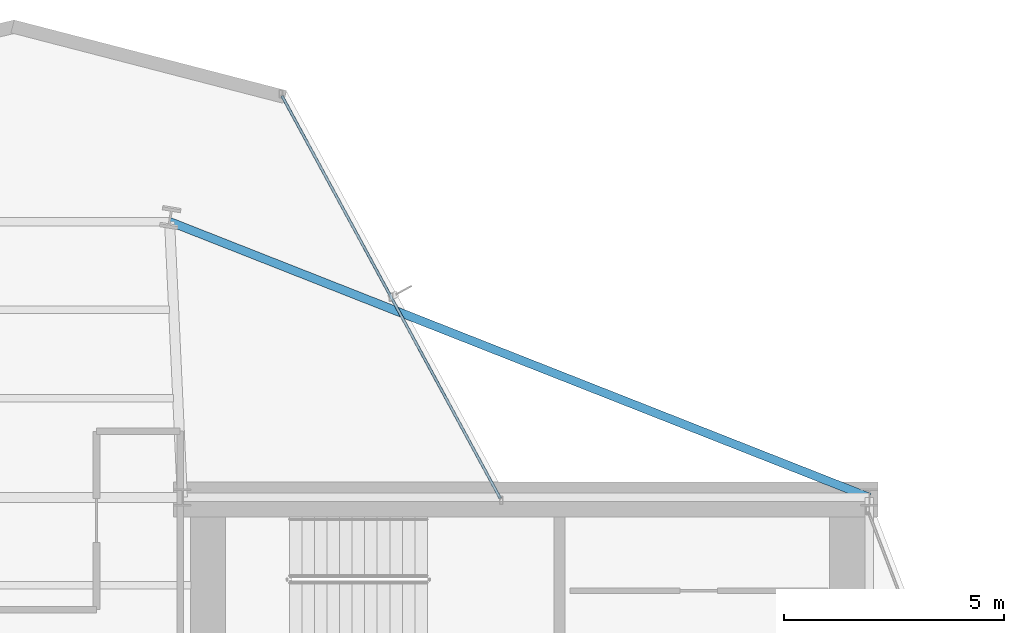
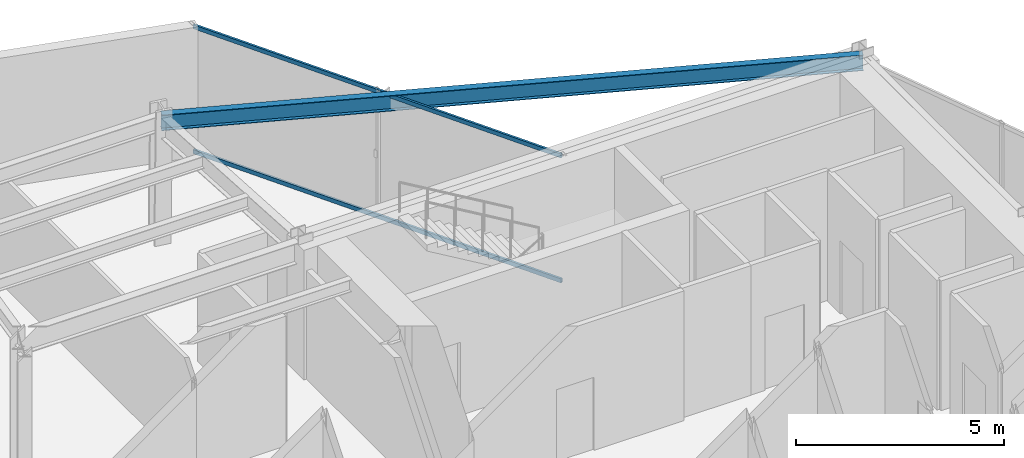
# One storey, part 17 of 26: 2 members, 1 beam, 1 element without a shape of its own.
"""IFC4 building model written with IfcOpenShell, lengths in metres."""

from ifc_helpers import new_model, si_unit, direction, frame, origin, origin_2d, place, context, subcontext, project, spatial, hollow_rectangle, i_section, extrude, material, layer, layer_set, material_profile, profile_set, type_object, element, aggregate, save


model = new_model("IFC4")

# Units and contexts
model_context = context("Model", 3, precision=1e-05, world=origin(), true_north=direction((0.0, 1.0)))
body_context = subcontext(model_context, "Body", "Model", "MODEL_VIEW")
ifc_project = project(units=[si_unit("LENGTHUNIT", "METRE"), si_unit("AREAUNIT", "SQUARE_METRE"), si_unit("VOLUMEUNIT", "CUBIC_METRE"), si_unit("PLANEANGLEUNIT", "RADIAN"), si_unit("MASSUNIT", "GRAM", prefix="KILO")], contexts=[model_context])

# Site, building, storey
site_placement = place(None, origin())
site = spatial("IfcSite", under=ifc_project, at=site_placement, CompositionType="ELEMENT")
building_placement = place(site_placement, origin())
building = spatial("IfcBuilding", under=site, at=building_placement, Name="Veymaron Broadcast Tower", CompositionType="ELEMENT")
storey_placement = place(building_placement, frame((0.0, 0.0, 157.35009765625)))
storey = spatial("IfcBuildingStorey", under=building, at=storey_placement, Name="L36", CompositionType="ELEMENT", Elevation=157.35009765625)

# Beam
ifc_material_1 = material(Name="Structural steel ASTM A992 Gr 50", Category="steel")
ifc_material_profile_1 = material_profile(ifc_material_1, i_section(OverallWidth=0.19091796875, OverallDepth=0.4599609375, WebThickness=0.010009765625, FlangeThickness=0.01611328125, at=origin_2d()), Name="W460X82")
ifc_profile_set_1 = profile_set([ifc_material_profile_1], Name="Structural steel ASTM A992 Gr 50")
beam_type = type_object("IfcBeamType", Name="BM-SP1", PredefinedType="SPANDREL", material=ifc_profile_set_1)
beam_placement = place(storey_placement, frame((54.60009765625, 32.0, 3.579833984375), z_axis=(-0.930403222441, 0.366537642913, 0.0), x_axis=(-0.366537642913, -0.930403222441, 0.0)))
element("IfcBeam", 1, at=beam_placement, inside=storey, type_object=beam_type, Name="L36 primary structural floor girder", PredefinedType="SPANDREL", context=body_context, shape_type="SweptSolid", body=[
    extrude(i_section(OverallWidth=0.19091796875, OverallDepth=0.4599609375, WebThickness=0.010009765625, FlangeThickness=0.01611328125, at=origin_2d()), origin(), (0.0, 0.0, 1.0), 17.078857421875),
])

# Curtain wall, members
ifc_material_2 = material(Name="Anodised aluminium AA 6063-T6 and laminated low-E dark glass", Category="aluminium")
ifc_layer = layer(ifc_material_2, 0.179931640625)
ifc_layer_set = layer_set([ifc_layer], Name="Anodised aluminium AA 6063-T6 and laminated low-E dark glass")
curtain_wall_type = type_object("IfcCurtainWallType", Name="CW-SYS-03", PredefinedType="NOTDEFINED", material=ifc_layer_set)
curtain_wall_placement = place(storey_placement, origin())
curtain_wall = element("IfcCurtainWall", 2, at=curtain_wall_placement, inside=storey, type_object=curtain_wall_type, Name="L36 dark-glass curtain wall CW-L36-E5-1", PredefinedType="NOTDEFINED")
ifc_material_3 = material(Name="Anodised aluminium AA 6063-T6", Category="aluminium")
ifc_material_profile_2 = material_profile(ifc_material_3, hollow_rectangle(XDim=0.06005859375, YDim=0.1201171875, WallThickness=0.00390625, at=origin_2d()), Name="AL120X60X4")
ifc_profile_set_2 = profile_set([ifc_material_profile_2], Name="Anodised aluminium AA 6063-T6")
member_type = type_object("IfcMemberType", Name="CW-TRN-02", PredefinedType="USERDEFINED", material=ifc_profile_set_2)
member_1_placement = place(storey_placement, frame((46.218994140625, 31.97705078125, 0.06982421875), z_axis=(-0.47682238993, 0.878999663516, 0.0), x_axis=(-0.878999663516, -0.47682238993, 0.0)))
member_1 = element("IfcMember", 3, at=member_1_placement, type_object=member_type, Name="CW-L36-E5-1 transom B", ObjectType="TRANSOM", PredefinedType="USERDEFINED", context=body_context, shape_type="SweptSolid", body=[
    extrude(hollow_rectangle(XDim=0.06005859375, YDim=0.1201171875, WallThickness=0.00390625, at=origin_2d()), origin(), (0.0, 0.0, 1.0), 10.3974609375),
])
member_2_placement = place(storey_placement, frame((46.218994140625, 31.97705078125, 3.739990234375), z_axis=(-0.47682238993, 0.878999663516, 0.0), x_axis=(-0.878999663516, -0.47682238993, 0.0)))
member_2 = element("IfcMember", 4, at=member_2_placement, type_object=member_type, Name="CW-L36-E5-1 transom T", ObjectType="TRANSOM", PredefinedType="USERDEFINED", context=body_context, shape_type="SweptSolid", body=[
    extrude(hollow_rectangle(XDim=0.06005859375, YDim=0.1201171875, WallThickness=0.00390625, at=origin_2d()), origin(), (0.0, 0.0, 1.0), 10.3974609375),
])
aggregate(curtain_wall, [member_1, member_2])

save(model, "model.ifc")
